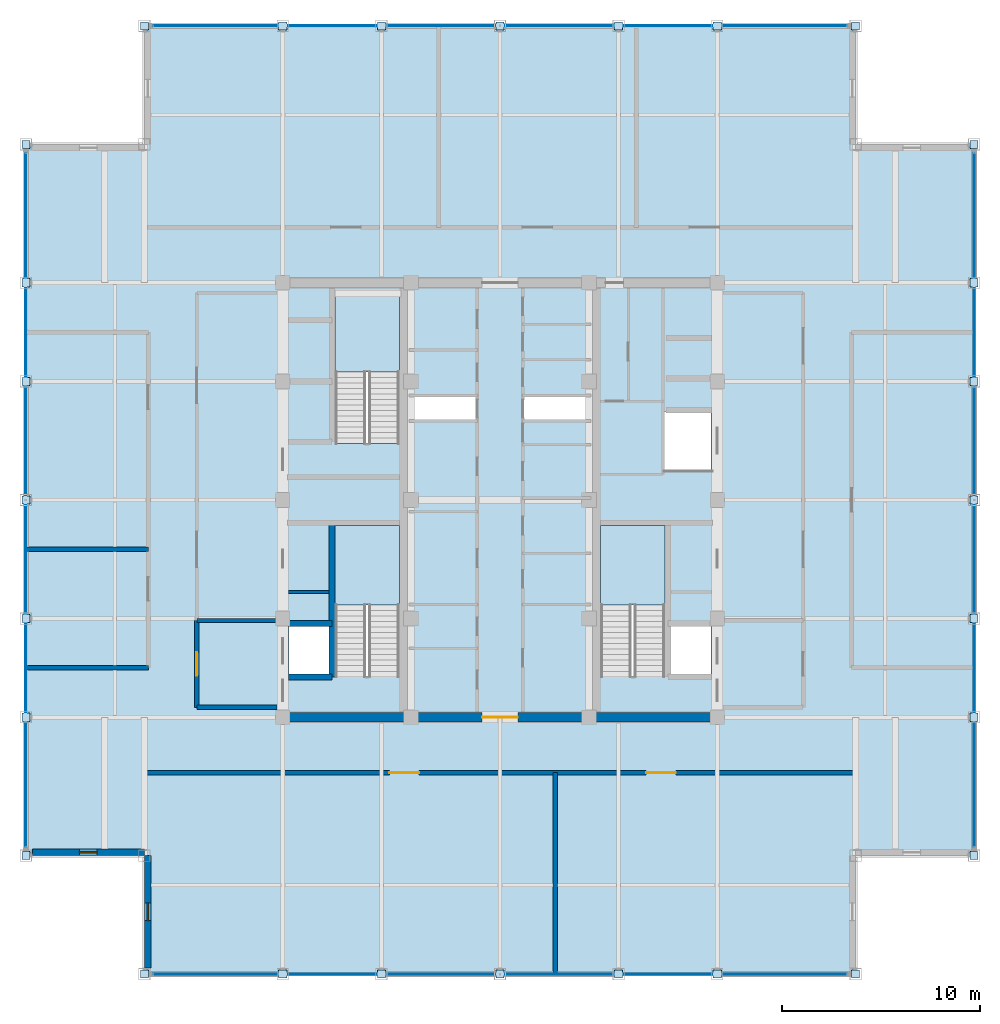
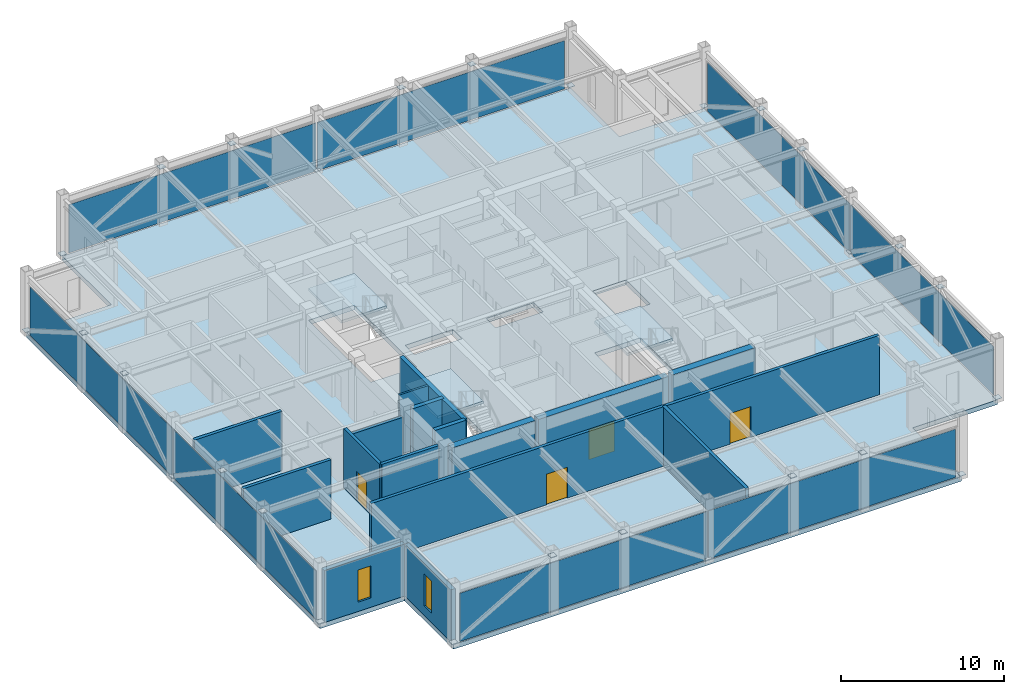
# One storey, part 23 of 27: 36 plates, 16 walls, 4 doors, 4 slabs, 2 windows, 6 openings, 7 elements without a shape of their own.
"""IFC4 building model written with IfcOpenShell, lengths in metres."""

import ifcopenshell
import ifcopenshell.guid

model = None  # the IFC model being written
_history = None  # IfcOwnerHistory: only IFC2X3 demands one
_inside = {}  # id of a spatial element -> (the spatial element, [elements in it])
_under = {}  # id of a project, library or spatial element -> (it, [spatial elements below it])
_declared = {}  # id of a project -> (the project, [libraries it declares])
_typed = {}  # id of a type object -> (the type object, [elements of that type])
_made_of = {}  # id of a material, layer set ... -> (it, [elements and type objects made of it])


def new_model(schema):
    """Start an empty IFC model of exactly this schema.

    Asked for "IFC4X3", IfcOpenShell would pick the latest addendum, in which some entities
    have other attributes; the version numbers below select the first issue.
    IFC2X3 requires an IfcOwnerHistory on every rooted entity: one is made here for all.
    """
    global model, _history
    if schema == "IFC4X3":
        model = ifcopenshell.file(schema_version=(4, 3, 0, 0))
    else:
        model = ifcopenshell.file(schema=schema)
    _inside.clear()
    _under.clear()
    _declared.clear()
    _typed.clear()
    _made_of.clear()
    _history = None
    if model.schema == "IFC2X3":
        org = make("IfcOrganization", Name="unknown")
        user = make(
            "IfcPersonAndOrganization",
            ThePerson=make("IfcPerson", FamilyName="unknown"),
            TheOrganization=org,
        )
        app = make(
            "IfcApplication",
            ApplicationDeveloper=org,
            Version="unknown",
            ApplicationFullName="unknown",
            ApplicationIdentifier="unknown",
        )
        _history = make(
            "IfcOwnerHistory",
            OwningUser=user,
            OwningApplication=app,
            ChangeAction="ADDED",
            CreationDate=0,
        )
    return model


def make(cls, **values):
    """One entity of the class cls with the attributes given. An attribute that is None is left unset."""
    return model.create_entity(
        cls, **{name: value for name, value in values.items() if value is not None}
    )


def rooted(cls, **values):
    """An entity with a GlobalId (a new one), such as an element, a storey or a relation."""
    return make(cls, GlobalId=ifcopenshell.guid.new(), OwnerHistory=_history, **values)


def si_unit(unit_type, name, prefix=None):
    """IfcSIUnit, for example si_unit("LENGTHUNIT", "METRE", prefix="MILLI")."""
    return make("IfcSIUnit", UnitType=unit_type, Prefix=prefix, Name=name)


def assignment(units):
    """IfcUnitAssignment: the units of a project."""
    return None if units is None else make("IfcUnitAssignment", Units=units)


def point(xyz):
    """IfcCartesianPoint."""
    return None if xyz is None else make("IfcCartesianPoint", Coordinates=xyz)


def direction(xyz):
    """IfcDirection."""
    return None if xyz is None else make("IfcDirection", DirectionRatios=xyz)


def frame(location, z_axis=None, x_axis=None):
    """IfcAxis2Placement3D, a coordinate frame: its origin and axes. An axis left out is left unset."""
    return make(
        "IfcAxis2Placement3D",
        Location=point(location),
        Axis=direction(z_axis),
        RefDirection=direction(x_axis),
    )


def frame_2d(location, x_axis=None):
    """IfcAxis2Placement2D, a coordinate frame in the plane: its origin and x axis."""
    return make(
        "IfcAxis2Placement2D", Location=point(location), RefDirection=direction(x_axis)
    )


def origin():
    """The frame at (0, 0, 0) with its axes left unset."""
    return frame((0.0, 0.0, 0.0))


def origin_2d():
    """The frame at (0, 0) in the plane with its x axis left unset."""
    return frame_2d((0.0, 0.0))


def place(relative_to, where):
    """IfcLocalPlacement: puts the frame where relative to a parent placement (None: the world)."""
    return make(
        "IfcLocalPlacement", PlacementRelTo=relative_to, RelativePlacement=where
    )


def context(
    kind, dimensions, precision=None, world=None, true_north=None, identifier=None
):
    """IfcGeometricRepresentationContext, for example the 3D "Model" context."""
    return make(
        "IfcGeometricRepresentationContext",
        ContextIdentifier=identifier,
        ContextType=kind,
        CoordinateSpaceDimension=dimensions,
        Precision=precision,
        WorldCoordinateSystem=world,
        TrueNorth=true_north,
    )


def subcontext(parent, identifier, kind, view, scale=None):
    """IfcGeometricRepresentationSubContext, for example "Body" below "Model"."""
    return make(
        "IfcGeometricRepresentationSubContext",
        ContextIdentifier=identifier,
        ContextType=kind,
        ParentContext=parent,
        TargetScale=scale,
        TargetView=view,
    )


def project(units=None, contexts=None):
    """IfcProject with its units and contexts."""
    return rooted(
        "IfcProject",
        Name="project",
        RepresentationContexts=contexts,
        UnitsInContext=assignment(units),
    )


def spatial(cls, under=None, at=None, **own):
    """A site, building, storey or space (cls), placed at a placement, below another one or the project."""
    s = rooted(cls, ObjectPlacement=at, **own)
    if under is not None:
        _under.setdefault(under.id(), (under, []))[1].append(s)
    return s


def polyline(points):
    """IfcPolyline through the points."""
    return make("IfcPolyline", Points=[point(p) for p in points])


def profile(cls, at=None, kind="AREA", **sizes):
    """A parametric profile (cls). Its sizes go by their IFC names, for example OverallWidth=200.0."""
    return make(cls, ProfileType=kind, Position=at, **sizes)


def rectangle(**sizes):
    """IfcRectangleProfileDef."""
    return profile("IfcRectangleProfileDef", **sizes)


def outline(outer, holes=None, kind="AREA"):
    """IfcArbitraryClosedProfileDef: a profile drawn as a closed curve; with holes, ...WithVoids."""
    if holes is None:
        return make("IfcArbitraryClosedProfileDef", ProfileType=kind, OuterCurve=outer)
    return make(
        "IfcArbitraryProfileDefWithVoids",
        ProfileType=kind,
        OuterCurve=outer,
        InnerCurves=holes,
    )


def extrude(swept, where, along, depth):
    """IfcExtrudedAreaSolid: the profile swept, set in the frame where, extruded along a direction by depth."""
    return make(
        "IfcExtrudedAreaSolid",
        SweptArea=swept,
        Position=where,
        ExtrudedDirection=direction(along),
        Depth=depth,
    )


def shape(context_of_items, identifier, shape_type, items):
    """IfcShapeRepresentation: the items that make up one representation, for example the "Body"."""
    return make(
        "IfcShapeRepresentation",
        ContextOfItems=context_of_items,
        RepresentationIdentifier=identifier,
        RepresentationType=shape_type,
        Items=items,
    )


def source(mapping_origin, context_of_items, identifier, shape_type, items):
    """IfcRepresentationMap: a shape defined once, which mapped items show again and again."""
    return make(
        "IfcRepresentationMap",
        MappingOrigin=mapping_origin,
        MappedRepresentation=shape(context_of_items, identifier, shape_type, items),
    )


def transform(
    local_origin,
    x_axis=None,
    y_axis=None,
    z_axis=None,
    scale=None,
    scale2=None,
    scale3=None,
    uniform=True,
):
    """IfcCartesianTransformationOperator3D, or its non-uniform kind. x_axis, y_axis, z_axis: its Axis1, 2, 3."""
    if uniform:
        return make(
            "IfcCartesianTransformationOperator3D",
            Axis1=direction(x_axis),
            Axis2=direction(y_axis),
            LocalOrigin=point(local_origin),
            Scale=scale,
            Axis3=direction(z_axis),
        )
    return make(
        "IfcCartesianTransformationOperator3DnonUniform",
        Axis1=direction(x_axis),
        Axis2=direction(y_axis),
        LocalOrigin=point(local_origin),
        Scale=scale,
        Axis3=direction(z_axis),
        Scale2=scale2,
        Scale3=scale3,
    )


def mapped(mapping_source, mapping_target):
    """IfcMappedItem: shows the shape of a source again, moved by a transform."""
    return make(
        "IfcMappedItem", MappingSource=mapping_source, MappingTarget=mapping_target
    )


def material(Name=None, Category=None):
    """IfcMaterial."""
    return make("IfcMaterial", Name=Name, Category=Category)


def layer(
    of_material, thickness, ventilated=None, Name=None, Category=None, Priority=None
):
    """IfcMaterialLayer: one layer of a wall or slab, of a material (None: an air gap)."""
    return make(
        "IfcMaterialLayer",
        Material=of_material,
        LayerThickness=thickness,
        IsVentilated=ventilated,
        Name=Name,
        Category=Category,
        Priority=Priority,
    )


def layer_set(layers, Name=None):
    """IfcMaterialLayerSet."""
    return make("IfcMaterialLayerSet", MaterialLayers=layers, LayerSetName=Name)


def made_of(thing, what):
    """Note that an element or type object is made of a material, layer set ...; save() writes the relation."""
    if what is not None:
        _made_of.setdefault(what.id(), (what, []))[1].append(thing)
    return thing


def type_object(cls, material=None, **own):
    """A type object (cls), such as IfcWallType, which elements share."""
    return made_of(rooted(cls, **own), material)


def element(
    cls,
    number,
    at=None,
    inside=None,
    cuts=None,
    type_object=None,
    material=None,
    context=None,
    identifier="Body",
    shape_type=None,
    held_by="IfcProductDefinitionShape",
    body=None,
    shapes=None,
    **own,
):
    """One element of the class cls, such as IfcWall. Its Tag is "e" and its number.

    at: its placement. inside: the storey or other place that contains it. cuts: it is an
    opening in that element (IfcRelVoidsElement). A single representation is given by context,
    identifier, shape_type and body (its items); several are given by shapes. held_by: the class
    of the entity that holds the representations. save() writes the other relations.
    """
    e = rooted(cls, Tag="e%d" % number, ObjectPlacement=at, **own)
    if body is not None:
        shapes = [shape(context, identifier, shape_type, body)]
    if shapes is not None:
        e.Representation = make(held_by, Representations=shapes)
    if inside is not None:
        _inside.setdefault(inside.id(), (inside, []))[1].append(e)
    if cuts is not None:
        rooted(
            "IfcRelVoidsElement", RelatingBuildingElement=cuts, RelatedOpeningElement=e
        )
    if type_object is not None:
        _typed.setdefault(type_object.id(), (type_object, []))[1].append(e)
    return made_of(e, material)


def fill(opening, filler):
    """IfcRelFillsElement: the door or window that sits in an opening."""
    return rooted(
        "IfcRelFillsElement",
        RelatingOpeningElement=opening,
        RelatedBuildingElement=filler,
    )


def aggregate(whole, parts):
    """IfcRelAggregates: a whole, such as a stair, and the parts it consists of."""
    return rooted("IfcRelAggregates", RelatingObject=whole, RelatedObjects=parts)


def save(model, path):
    """Write the relations noted so far, then the file.

    IfcRelAggregates (storeys below a building ...), IfcRelContainedInSpatialStructure (elements
    in a storey), IfcRelDefinesByType, IfcRelAssociatesMaterial and IfcRelDeclares: one each for
    every whole, place, type object, material and project.
    """
    for whole, parts in _under.values():
        aggregate(whole, parts)
    for where, things in _inside.values():
        rooted(
            "IfcRelContainedInSpatialStructure",
            RelatedElements=things,
            RelatingStructure=where,
        )
    for kind, things in _typed.values():
        rooted("IfcRelDefinesByType", RelatedObjects=things, RelatingType=kind)
    for what, things in _made_of.values():
        rooted("IfcRelAssociatesMaterial", RelatedObjects=things, RelatingMaterial=what)
    for by, libraries in _declared.values():
        rooted("IfcRelDeclares", RelatingContext=by, RelatedDefinitions=libraries)
    model.write(path)


model = new_model("IFC4")

# Units and contexts
model_context = context("Model", 3, precision=1e-05, world=origin(), true_north=direction((0.0, 1.0)))
body_context = subcontext(model_context, "Body", "Model", "MODEL_VIEW")
ifc_project = project(units=[si_unit("LENGTHUNIT", "METRE"), si_unit("AREAUNIT", "SQUARE_METRE"), si_unit("VOLUMEUNIT", "CUBIC_METRE"), si_unit("PLANEANGLEUNIT", "RADIAN"), si_unit("MASSUNIT", "GRAM", prefix="KILO")], contexts=[model_context])

# Site, building, storey
site_placement = place(None, origin())
site = spatial("IfcSite", under=ifc_project, at=site_placement, CompositionType="ELEMENT")
building_placement = place(site_placement, origin())
building = spatial("IfcBuilding", under=site, at=building_placement, Name="Khorayat Bourse Tower", CompositionType="ELEMENT")
storey_placement = place(building_placement, frame((0.0, 0.0, 394.699951171875)))
storey = spatial("IfcBuildingStorey", under=building, at=storey_placement, Name="L93", CompositionType="ELEMENT", Elevation=394.699951171875)

# Stair, slab
ifc_material_1 = material(Name="Concrete C40/50", Category="concrete")
stair_type = type_object("IfcStairType", Name="STR-CORE-1550", PredefinedType="HALF_TURN_STAIR", material=ifc_material_1)
stair_1_placement = place(storey_placement, origin())
stair_1 = element("IfcStair", 1, at=stair_1_placement, inside=storey, type_object=stair_type, Name="L93 Exit Stair ST-1", PredefinedType="HALF_TURN_STAIR")
ifc_layer_1 = layer(ifc_material_1, 0.199951171875)
ifc_layer_set_1 = layer_set([ifc_layer_1], Name="Concrete C40/50")
slab_type_1 = type_object("IfcSlabType", Name="SLB-LANDING-200", PredefinedType="LANDING", material=ifc_layer_set_1)
slab_1_placement = place(storey_placement, frame((0.0, 0.0, 2.199951171875)))
slab_1 = element("IfcSlab", 2, at=slab_1_placement, type_object=slab_type_1, Name="ST-1 landing 1", PredefinedType="LANDING", context=body_context, shape_type="SweptSolid", body=[
    extrude(outline(polyline([(-5.10009765625, -5.31005859375), (-5.10009765625, -1.300048828125), (-8.35009765625, -1.300048828125), (-8.35009765625, -5.31005859375), (-5.10009765625, -5.31005859375)])), origin(), (0.0, 0.0, 1.0), 0.2001953125),
])
aggregate(stair_1, [slab_1])

stair_2_placement = place(storey_placement, origin())
stair_2 = element("IfcStair", 3, at=stair_2_placement, inside=storey, type_object=stair_type, Name="L93 Exit Stair ST-2", PredefinedType="HALF_TURN_STAIR")
slab_2_placement = place(storey_placement, frame((0.0, 0.0, 2.199951171875)))
slab_2 = element("IfcSlab", 4, at=slab_2_placement, type_object=slab_type_1, Name="ST-2 landing 1", PredefinedType="LANDING", context=body_context, shape_type="SweptSolid", body=[
    extrude(outline(polyline([(-5.10009765625, 6.489990234375), (-5.10009765625, 10.5), (-8.35009765625, 10.5), (-8.35009765625, 6.489990234375), (-5.10009765625, 6.489990234375)])), origin(), (0.0, 0.0, 1.0), 0.2001953125),
])
aggregate(stair_2, [slab_2])

stair_3_placement = place(storey_placement, origin())
stair_3 = element("IfcStair", 5, at=stair_3_placement, inside=storey, type_object=stair_type, Name="L93 Exit Stair ST-3", PredefinedType="HALF_TURN_STAIR")
slab_3_placement = place(storey_placement, frame((0.0, 0.0, 2.199951171875)))
slab_3 = element("IfcSlab", 6, at=slab_3_placement, type_object=slab_type_1, Name="ST-3 landing 1", PredefinedType="LANDING", context=body_context, shape_type="SweptSolid", body=[
    extrude(outline(polyline([(8.35009765625, -5.31005859375), (8.35009765625, -1.300048828125), (5.10009765625, -1.300048828125), (5.10009765625, -5.31005859375), (8.35009765625, -5.31005859375)])), origin(), (0.0, 0.0, 1.0), 0.2001953125),
])
aggregate(stair_3, [slab_3])

# Slab
ifc_material_2 = material(Name="Concrete C50/60", Category="concrete")
ifc_layer_2 = layer(ifc_material_2, 0.35009765625)
ifc_layer_set_2 = layer_set([ifc_layer_2], Name="Concrete C50/60")
slab_type_2 = type_object("IfcSlabType", Name="SLB-PLANT-350", PredefinedType="FLOOR", material=ifc_layer_set_2)
slab_4_placement = place(storey_placement, frame((0.0, 0.0, -0.349853515625)))
element("IfcSlab", 7, at=slab_4_placement, inside=storey, type_object=slab_type_2, Name="L93 Main Floor Slab", PredefinedType="FLOOR", context=body_context, shape_type="SweptSolid", body=[
    extrude(outline(polyline([(-18.0, -24.0), (18.0, -24.0), (18.0, -18.0), (24.0, -18.0), (24.0, 18.0), (18.0, 18.0), (18.0, 24.0), (-18.0, 24.0), (-18.0, 18.0), (-24.0, 18.0), (-24.0, -18.0), (-18.0, -18.0), (-18.0, -24.0)]), holes=[polyline([(-8.35009765625, -8.945068359375), (-5.10009765625, -8.945068359375), (-5.10009765625, -1.300048828125), (-8.35009765625, -1.300048828125), (-8.35009765625, -8.945068359375)]), polyline([(-8.35009765625, 2.85498046875), (-5.10009765625, 2.85498046875), (-5.10009765625, 10.5), (-8.35009765625, 10.5), (-8.35009765625, 2.85498046875)]), polyline([(5.10009765625, -8.945068359375), (8.35009765625, -8.945068359375), (8.35009765625, -1.300048828125), (5.10009765625, -1.300048828125), (5.10009765625, -8.945068359375)]), polyline([(-10.679931640625, -8.929931640625), (-8.419921875, -8.929931640625), (-8.419921875, -6.3701171875), (-10.679931640625, -6.3701171875), (-10.679931640625, -8.929931640625)]), polyline([(8.419921875, -8.929931640625), (10.679931640625, -8.929931640625), (10.679931640625, -6.3701171875), (8.419921875, -6.3701171875), (8.419921875, -8.929931640625)]), polyline([(8.320068359375, 1.52001953125), (10.679931640625, 1.52001953125), (10.679931640625, 4.47998046875), (8.320068359375, 4.47998046875), (8.320068359375, 1.52001953125)]), polyline([(-4.56005859375, 4.080078125), (-1.18994140625, 4.080078125), (-1.18994140625, 5.219970703125), (-4.56005859375, 5.219970703125), (-4.56005859375, 4.080078125)]), polyline([(1.18994140625, 4.080078125), (4.56005859375, 4.080078125), (4.56005859375, 5.219970703125), (1.18994140625, 5.219970703125), (1.18994140625, 4.080078125)])]), origin(), (0.0, 0.0, 1.0), 0.349853515625),
])

# Plates
ifc_material_3 = material(Name="Steel EN 10025-2 S355J2", Category="steel")
ifc_layer_3 = layer(ifc_material_3, 0.02490234375)
ifc_layer_set_3 = layer_set([ifc_layer_3], Name="Steel EN 10025-2 S355J2")
plate_type_1 = type_object("IfcPlateType", Name="PLT-ENDCAP-25", PredefinedType="SHEET", material=ifc_layer_set_3)
shared_shape_1 = source(origin(), body_context, "Body", "SweptSolid", [
    extrude(rectangle(XDim=0.419921875, YDim=0.419921875, at=origin_2d()), origin(), (0.0, 0.0, 1.0), 0.02490234375),
])
for number, where, z_axis, x_axis, name in (
    (8, (-18.0, -24.0, 0.1875), (0.0, 0.0, 1.0), (1.0, 0.0, 0.0), "L93 Crown Frame Node Plate 001"),
    (9, (-11.0, -24.0, 4.237548828125), (0.0, 0.0, 1.0), (1.0, 0.0, 0.0), "L93 Crown Frame Node Plate 002"),
    (10, (-6.0, -24.0, 4.237548828125), (0.0, 0.0, 1.0), (1.0, 0.0, 0.0), "L93 Crown Frame Node Plate 003"),
    (11, (0.0, -24.0, 0.1875), (0.0, 0.0, 1.0), (1.0, 0.0, 0.0), "L93 Crown Frame Node Plate 004"),
    (12, (6.0, -24.0, 4.237548828125), (0.0, 0.0, 1.0), (1.0, 0.0, 0.0), "L93 Crown Frame Node Plate 005"),
    (13, (11.0, -24.0, 4.237548828125), (0.0, 0.0, 1.0), (1.0, 0.0, 0.0), "L93 Crown Frame Node Plate 006"),
    (14, (18.0, -24.0, 0.1875), (0.0, 0.0, 1.0), (1.0, 0.0, 0.0), "L93 Crown Frame Node Plate 007"),
    (15, (-18.0, 24.0, 0.1875), (0.0, 0.0, 1.0), (1.0, 0.0, 0.0), "L93 Crown Frame Node Plate 008"),
    (16, (-11.0, 24.0, 4.237548828125), (0.0, 0.0, 1.0), (1.0, 0.0, 0.0), "L93 Crown Frame Node Plate 009"),
    (17, (-6.0, 24.0, 4.237548828125), (0.0, 0.0, 1.0), (1.0, 0.0, 0.0), "L93 Crown Frame Node Plate 010"),
    (18, (0.0, 24.0, 0.1875), (0.0, 0.0, 1.0), (1.0, 0.0, 0.0), "L93 Crown Frame Node Plate 011"),
    (19, (6.0, 24.0, 4.237548828125), (0.0, 0.0, 1.0), (1.0, 0.0, 0.0), "L93 Crown Frame Node Plate 012"),
    (20, (11.0, 24.0, 4.237548828125), (0.0, 0.0, 1.0), (1.0, 0.0, 0.0), "L93 Crown Frame Node Plate 013"),
    (21, (18.0, 24.0, 0.1875), (0.0, 0.0, 1.0), (1.0, 0.0, 0.0), "L93 Crown Frame Node Plate 014"),
    (22, (-24.0, -18.0, 0.1875), (0.0, 0.0, 1.0), (1.0, 0.0, 0.0), "L93 Crown Frame Node Plate 015"),
    (23, (-24.0, -11.0, 4.237548828125), (0.0, 0.0, 1.0), (1.0, 0.0, 0.0), "L93 Crown Frame Node Plate 016"),
    (24, (-24.0, -6.0, 4.237548828125), (0.0, 0.0, 1.0), (1.0, 0.0, 0.0), "L93 Crown Frame Node Plate 017"),
    (25, (-24.0, 0.0, 0.1875), (0.0, 0.0, 1.0), (1.0, 0.0, 0.0), "L93 Crown Frame Node Plate 018"),
    (26, (-24.0, 6.0, 4.237548828125), (0.0, 0.0, 1.0), (1.0, 0.0, 0.0), "L93 Crown Frame Node Plate 019"),
    (27, (-24.0, 11.0, 4.237548828125), (0.0, 0.0, 1.0), (1.0, 0.0, 0.0), "L93 Crown Frame Node Plate 020"),
    (28, (-24.0, 18.0, 0.1875), (0.0, 0.0, 1.0), (1.0, 0.0, 0.0), "L93 Crown Frame Node Plate 021"),
    (29, (24.0, -18.0, 0.1875), (0.0, 0.0, 1.0), (1.0, 0.0, 0.0), "L93 Crown Frame Node Plate 022"),
    (30, (24.0, -11.0, 4.237548828125), (0.0, 0.0, 1.0), (1.0, 0.0, 0.0), "L93 Crown Frame Node Plate 023"),
    (31, (24.0, -6.0, 4.237548828125), (0.0, 0.0, 1.0), (1.0, 0.0, 0.0), "L93 Crown Frame Node Plate 024"),
    (32, (24.0, 0.0, 0.1875), (0.0, 0.0, 1.0), (1.0, 0.0, 0.0), "L93 Crown Frame Node Plate 025"),
    (33, (24.0, 6.0, 4.237548828125), (0.0, 0.0, 1.0), (1.0, 0.0, 0.0), "L93 Crown Frame Node Plate 026"),
    (34, (24.0, 11.0, 4.237548828125), (0.0, 0.0, 1.0), (1.0, 0.0, 0.0), "L93 Crown Frame Node Plate 027"),
    (35, (24.0, 18.0, 0.1875), (0.0, 0.0, 1.0), (1.0, 0.0, 0.0), "L93 Crown Frame Node Plate 028"),
):
    element("IfcPlate", number, at=place(storey_placement, frame(where, z_axis=z_axis, x_axis=x_axis)), inside=storey, type_object=plate_type_1, Name=name, PredefinedType="SHEET", context=body_context, shape_type="MappedRepresentation", body=[
        mapped(shared_shape_1, transform((0.0, 0.0, 0.0), scale=1.0)),
    ])

# Curtain wall, plates
ifc_material_4 = material(Name="Aluminium EN AW-6063 T6", Category="aluminium")
curtain_wall_type = type_object("IfcCurtainWallType", Name="CW-SYS-07", PredefinedType="NOTDEFINED", material=ifc_material_4)
curtain_wall_1_placement = place(storey_placement, origin())
curtain_wall_1 = element("IfcCurtainWall", 36, at=curtain_wall_1_placement, inside=storey, type_object=curtain_wall_type, Name="L93 Curtain Wall CW-L93-S1", PredefinedType="NOTDEFINED")
ifc_material_5 = material(Name="Backlit ceramic-fritted lantern glass", Category="glass")
ifc_layer_4 = layer(ifc_material_5, 0.048095703125)
ifc_layer_set_4 = layer_set([ifc_layer_4], Name="Backlit ceramic-fritted lantern glass")
plate_type_2 = type_object("IfcPlateType", Name="CWP-LANTERN-04", PredefinedType="CURTAIN_PANEL", material=ifc_layer_set_4)
shared_shape_2 = source(origin(), body_context, "Body", "SweptSolid", [
    extrude(rectangle(XDim=17.5, YDim=0.048095703125, at=origin_2d()), origin(), (0.0, 0.0, 1.0), 3.6201171875),
])
plate_1_placement = place(storey_placement, frame((-8.800048828125, -24.0, 0.090087890625), z_axis=(0.0, 0.0, 1.0), x_axis=(1.0, 0.0, 0.0)))
plate_1 = element("IfcPlate", 37, at=plate_1_placement, type_object=plate_type_2, Name="CW-L93-S1 Vision Panel 1-1", PredefinedType="CURTAIN_PANEL", context=body_context, shape_type="MappedRepresentation", body=[
    mapped(shared_shape_2, transform((0.0, 0.0, 0.0), scale=1.0)),
])
plate_2_placement = place(storey_placement, frame((8.800048828125, -24.0, 0.090087890625), z_axis=(0.0, 0.0, 1.0), x_axis=(1.0, 0.0, 0.0)))
plate_2 = element("IfcPlate", 38, at=plate_2_placement, type_object=plate_type_2, Name="CW-L93-S1 Vision Panel 2-1", PredefinedType="CURTAIN_PANEL", context=body_context, shape_type="MappedRepresentation", body=[
    mapped(shared_shape_2, transform((0.0, 0.0, 0.0), scale=1.0)),
])
aggregate(curtain_wall_1, [plate_1, plate_2])

curtain_wall_2_placement = place(storey_placement, origin())
curtain_wall_2 = element("IfcCurtainWall", 39, at=curtain_wall_2_placement, inside=storey, type_object=curtain_wall_type, Name="L93 Curtain Wall CW-L93-N1", PredefinedType="NOTDEFINED")
plate_3_placement = place(storey_placement, frame((-8.800048828125, 24.0, 0.090087890625), z_axis=(0.0, 0.0, 1.0), x_axis=(1.0, 0.0, 0.0)))
plate_3 = element("IfcPlate", 40, at=plate_3_placement, type_object=plate_type_2, Name="CW-L93-N1 Vision Panel 1-1", PredefinedType="CURTAIN_PANEL", context=body_context, shape_type="MappedRepresentation", body=[
    mapped(shared_shape_2, transform((0.0, 0.0, 0.0), scale=1.0)),
])
plate_4_placement = place(storey_placement, frame((8.800048828125, 24.0, 0.090087890625), z_axis=(0.0, 0.0, 1.0), x_axis=(1.0, 0.0, 0.0)))
plate_4 = element("IfcPlate", 41, at=plate_4_placement, type_object=plate_type_2, Name="CW-L93-N1 Vision Panel 2-1", PredefinedType="CURTAIN_PANEL", context=body_context, shape_type="MappedRepresentation", body=[
    mapped(shared_shape_2, transform((0.0, 0.0, 0.0), scale=1.0)),
])
aggregate(curtain_wall_2, [plate_3, plate_4])

curtain_wall_3_placement = place(storey_placement, origin())
curtain_wall_3 = element("IfcCurtainWall", 42, at=curtain_wall_3_placement, inside=storey, type_object=curtain_wall_type, Name="L93 Curtain Wall CW-L93-W1", PredefinedType="NOTDEFINED")
plate_5_placement = place(storey_placement, frame((-24.0, -8.800048828125, 0.090087890625), z_axis=(0.0, 0.0, 1.0), x_axis=(0.0, 1.0, 0.0)))
plate_5 = element("IfcPlate", 43, at=plate_5_placement, type_object=plate_type_2, Name="CW-L93-W1 Vision Panel 1-1", PredefinedType="CURTAIN_PANEL", context=body_context, shape_type="MappedRepresentation", body=[
    mapped(shared_shape_2, transform((0.0, 0.0, 0.0), scale=1.0)),
])
plate_6_placement = place(storey_placement, frame((-24.0, 8.800048828125, 0.090087890625), z_axis=(0.0, 0.0, 1.0), x_axis=(0.0, 1.0, 0.0)))
plate_6 = element("IfcPlate", 44, at=plate_6_placement, type_object=plate_type_2, Name="CW-L93-W1 Vision Panel 2-1", PredefinedType="CURTAIN_PANEL", context=body_context, shape_type="MappedRepresentation", body=[
    mapped(shared_shape_2, transform((0.0, 0.0, 0.0), scale=1.0)),
])
aggregate(curtain_wall_3, [plate_5, plate_6])

curtain_wall_4_placement = place(storey_placement, origin())
curtain_wall_4 = element("IfcCurtainWall", 45, at=curtain_wall_4_placement, inside=storey, type_object=curtain_wall_type, Name="L93 Curtain Wall CW-L93-E1", PredefinedType="NOTDEFINED")
plate_7_placement = place(storey_placement, frame((24.0, -8.800048828125, 0.090087890625), z_axis=(0.0, 0.0, 1.0), x_axis=(0.0, 1.0, 0.0)))
plate_7 = element("IfcPlate", 46, at=plate_7_placement, type_object=plate_type_2, Name="CW-L93-E1 Vision Panel 1-1", PredefinedType="CURTAIN_PANEL", context=body_context, shape_type="MappedRepresentation", body=[
    mapped(shared_shape_2, transform((0.0, 0.0, 0.0), scale=1.0)),
])
plate_8_placement = place(storey_placement, frame((24.0, 8.800048828125, 0.090087890625), z_axis=(0.0, 0.0, 1.0), x_axis=(0.0, 1.0, 0.0)))
plate_8 = element("IfcPlate", 47, at=plate_8_placement, type_object=plate_type_2, Name="CW-L93-E1 Vision Panel 2-1", PredefinedType="CURTAIN_PANEL", context=body_context, shape_type="MappedRepresentation", body=[
    mapped(shared_shape_2, transform((0.0, 0.0, 0.0), scale=1.0)),
])
aggregate(curtain_wall_4, [plate_7, plate_8])

# Walls
ifc_material_6 = material(Name="Concrete C52/65", Category="concrete")
ifc_layer_5 = layer(ifc_material_6, 0.5)
ifc_layer_set_5 = layer_set([ifc_layer_5], Name="Concrete C52/65")
wall_type_1 = type_object("IfcWallType", Name="WAL-CORE-500", PredefinedType="SHEAR", material=ifc_layer_set_5)
shared_shape_3 = source(origin(), body_context, "Body", "SweptSolid", [
    extrude(rectangle(XDim=5.89990234375, YDim=0.5, at=frame_2d((2.949951171875, 0.0))), origin(), (0.0, 0.0, 1.0), 4.449951171875),
])
for number, where, z_axis, x_axis, name in (
    (48, (-10.75, -11.0, 0.0), (0.0, 0.0, 1.0), (1.0, 0.0, 0.0), "L93 Core Shear Wall PIER-WS"),
    (49, (4.85009765625, -11.0, 0.0), (0.0, 0.0, 1.0), (1.0, 0.0, 0.0), "L93 Core Shear Wall PIER-ES"),
):
    element("IfcWall", number, at=place(storey_placement, frame(where, z_axis=z_axis, x_axis=x_axis)), inside=storey, type_object=wall_type_1, Name=name, PredefinedType="SHEAR", context=body_context, shape_type="MappedRepresentation", body=[
        mapped(shared_shape_3, transform((0.0, 0.0, 0.0), scale=1.0)),
    ])

# Wall, opening, door
shared_shape_4 = source(origin(), body_context, "Body", "SweptSolid", [
    extrude(rectangle(XDim=9.2001953125, YDim=0.5, at=frame_2d((4.60009765625, 0.0))), origin(), (0.0, 0.0, 1.0), 4.449951171875),
])
wall_1_placement = place(storey_placement, frame((-4.60009765625, -11.0, 0.0), z_axis=(0.0, 0.0, 1.0), x_axis=(1.0, 0.0, 0.0)))
wall_1 = element("IfcWall", 50, at=wall_1_placement, inside=storey, type_object=wall_type_1, Name="L93 Core Shear Wall CORE-S", PredefinedType="SHEAR", context=body_context, shape_type="MappedRepresentation", body=[
    mapped(shared_shape_4, transform((0.0, 0.0, 0.0), scale=1.0)),
])
shared_shape_5 = source(origin(), body_context, "Body", "SweptSolid", [
    extrude(rectangle(XDim=1.800048828125, YDim=2.25, at=frame_2d((0.89990234375, 1.125))), frame((0.0, 0.260009765625, 0.0), z_axis=(0.0, -1.0, 0.0), x_axis=(1.0, 0.0, 0.0)), (0.0, 0.0, 1.0), 0.52001953125),
])
opening_1_placement = place(wall_1_placement, frame((3.699951171875, 0.0, 0.0)))
opening_1 = element("IfcOpeningElement", 51, at=opening_1_placement, cuts=wall_1, Name="Opening DI-03", PredefinedType="OPENING", context=body_context, shape_type="MappedRepresentation", body=[
    mapped(shared_shape_5, transform((0.0, 0.0, 0.0), scale=1.0)),
])
ifc_material_7 = material(Name="Fire-rated hardwood vision-panel double leaf", Category="wood")
door_type_1 = type_object("IfcDoorType", Name="DR-INT-CORR-1800", OperationType="NOTDEFINED", PredefinedType="DOOR", material=ifc_material_7)
shared_shape_6 = source(origin(), body_context, "Body", "SweptSolid", [
    extrude(rectangle(XDim=1.800048828125, YDim=2.25, at=frame_2d((0.89990234375, 1.125))), frame((0.0, 0.02490234375, 0.0), z_axis=(0.0, -1.0, 0.0), x_axis=(1.0, 0.0, 0.0)), (0.0, 0.0, 1.0), 0.050048828125),
])
door_1_placement = place(opening_1_placement, origin())
door_1 = element("IfcDoor", 52, at=door_1_placement, inside=storey, type_object=door_type_1, Name="L93 Central Core South Passage Door", OperationType="SINGLE_SWING_LEFT", OverallHeight=2.25, OverallWidth=1.800048828125, PredefinedType="DOOR", context=body_context, shape_type="MappedRepresentation", body=[
    mapped(shared_shape_6, transform((0.0, 0.0, 0.0), scale=1.0)),
])
fill(opening_1, door_1)

# Wall, opening, window
ifc_material_8 = material(Name="Precast concrete C45/55", Category="concrete")
ifc_layer_6 = layer(ifc_material_8, 0.320068359375)
ifc_layer_set_6 = layer_set([ifc_layer_6], Name="Precast concrete C45/55")
wall_type_2 = type_object("IfcWallType", Name="WAL-EXT-STONE-320", PredefinedType="STANDARD", material=ifc_layer_set_6)
shared_shape_7 = source(origin(), body_context, "Body", "SweptSolid", [
    extrude(rectangle(XDim=5.679931640625, YDim=0.320068359375, at=frame_2d((2.83984375, 0.0))), origin(), (0.0, 0.0, 1.0), 3.901123046875),
])
wall_2_placement = place(storey_placement, frame((-18.0, -17.840087890625, 0.0), z_axis=(0.0, 0.0, 1.0), x_axis=(-1.0, 0.0, 0.0)))
wall_2 = element("IfcWall", 53, at=wall_2_placement, inside=storey, type_object=wall_type_2, Name="L93 Re-Entrant Notch Limestone Wall SW-H", PredefinedType="STANDARD", context=body_context, shape_type="MappedRepresentation", body=[
    mapped(shared_shape_7, transform((0.0, 0.0, 0.0), scale=1.0)),
])
shared_shape_8 = source(origin(), body_context, "Body", "SweptSolid", [
    extrude(rectangle(XDim=0.89990234375, YDim=2.39990234375, at=frame_2d((0.449951171875, 1.199951171875))), frame((0.0, 0.169921875, 0.0), z_axis=(0.0, -1.0, 0.0), x_axis=(1.0, 0.0, 0.0)), (0.0, 0.0, 1.0), 0.340087890625),
])
opening_2_placement = place(wall_2_placement, frame((2.389892578125, 0.0, 0.699951171875)))
opening_2 = element("IfcOpeningElement", 54, at=opening_2_placement, cuts=wall_2, Name="Opening WN-03", PredefinedType="OPENING", context=body_context, shape_type="MappedRepresentation", body=[
    mapped(shared_shape_8, transform((0.0, 0.0, 0.0), scale=1.0)),
])
ifc_material_9 = material(Name="Deep-reveal solar-control double glazing", Category="glass")
window_type = type_object("IfcWindowType", Name="WIN-SLOT-900x2400", PartitioningType="SINGLE_PANEL", PredefinedType="WINDOW", material=ifc_material_9)
shared_shape_9 = source(origin(), body_context, "Body", "SweptSolid", [
    extrude(rectangle(XDim=0.89990234375, YDim=2.39990234375, at=frame_2d((0.449951171875, 1.199951171875))), frame((0.0, 0.030029296875, 0.0), z_axis=(0.0, -1.0, 0.0), x_axis=(1.0, 0.0, 0.0)), (0.0, 0.0, 1.0), 0.06005859375),
])
window_1_placement = place(opening_2_placement, origin())
window_1 = element("IfcWindow", 55, at=window_1_placement, inside=storey, type_object=window_type, Name="L93 Facade Window 1", OverallHeight=2.39990234375, OverallWidth=0.89990234375, PartitioningType="SINGLE_PANEL", PredefinedType="WINDOW", context=body_context, shape_type="MappedRepresentation", body=[
    mapped(shared_shape_9, transform((0.0, 0.0, 0.0), scale=1.0)),
])
fill(opening_2, window_1)

wall_3_placement = place(storey_placement, frame((-17.840087890625, -23.679931640625, 0.0), z_axis=(0.0, 0.0, 1.0), x_axis=(0.0, 1.0, 0.0)))
wall_3 = element("IfcWall", 56, at=wall_3_placement, inside=storey, type_object=wall_type_2, Name="L93 Re-Entrant Notch Limestone Wall SW-V", PredefinedType="STANDARD", context=body_context, shape_type="MappedRepresentation", body=[
    mapped(shared_shape_7, transform((0.0, 0.0, 0.0), scale=1.0)),
])
opening_3_placement = place(wall_3_placement, frame((2.389892578125, 0.0, 0.699951171875)))
opening_3 = element("IfcOpeningElement", 57, at=opening_3_placement, cuts=wall_3, Name="Opening WN-03", PredefinedType="OPENING", context=body_context, shape_type="MappedRepresentation", body=[
    mapped(shared_shape_8, transform((0.0, 0.0, 0.0), scale=1.0)),
])
window_2_placement = place(opening_3_placement, origin())
window_2 = element("IfcWindow", 58, at=window_2_placement, inside=storey, type_object=window_type, Name="L93 Facade Window 1", OverallHeight=2.39990234375, OverallWidth=0.89990234375, PartitioningType="SINGLE_PANEL", PredefinedType="WINDOW", context=body_context, shape_type="MappedRepresentation", body=[
    mapped(shared_shape_9, transform((0.0, 0.0, 0.0), scale=1.0)),
])
fill(opening_3, window_2)

# Walls
ifc_layer_7 = layer(ifc_material_2, 0.300048828125)
ifc_layer_set_7 = layer_set([ifc_layer_7], Name="Concrete C50/60")
wall_type_3 = type_object("IfcWallType", Name="WAL-SHAFT-300", PredefinedType="SHEAR", material=ifc_layer_set_7)
shared_shape_10 = source(origin(), body_context, "Body", "SweptSolid", [
    extrude(rectangle(XDim=7.800048828125, YDim=0.300048828125, at=frame_2d((3.89990234375, 0.0))), origin(), (0.0, 0.0, 1.0), 4.449951171875),
])
wall_4_placement = place(storey_placement, frame((-8.5, -8.949951171875, 0.0), z_axis=(0.0, 0.0, 1.0), x_axis=(0.0, 1.0, 0.0)))
element("IfcWall", 59, at=wall_4_placement, inside=storey, type_object=wall_type_3, Name="L93 Partition WAL-L93-WPIER-SP", PredefinedType="SHEAR", context=body_context, shape_type="MappedRepresentation", body=[
    mapped(shared_shape_10, transform((0.0, 0.0, 0.0), scale=1.0)),
])
shared_shape_11 = source(origin(), body_context, "Body", "SweptSolid", [
    extrude(rectangle(XDim=2.199951171875, YDim=0.300048828125, at=frame_2d((1.10009765625, 0.0))), origin(), (0.0, 0.0, 1.0), 4.449951171875),
])
for number, where, z_axis, x_axis, name in (
    (60, (-10.699951171875, -8.949951171875, 0.0), (0.0, 0.0, 1.0), (1.0, 0.0, 0.0), "L93 Partition WAL-L93-WPIER-FF1S"),
    (61, (-10.699951171875, -6.25, 0.0), (0.0, 0.0, 1.0), (1.0, 0.0, 0.0), "L93 Partition WAL-L93-WPIER-FF1N"),
):
    element("IfcWall", number, at=place(storey_placement, frame(where, z_axis=z_axis, x_axis=x_axis)), inside=storey, type_object=wall_type_3, Name=name, PredefinedType="SHEAR", context=body_context, shape_type="MappedRepresentation", body=[
        mapped(shared_shape_11, transform((0.0, 0.0, 0.0), scale=1.0)),
    ])
ifc_material_10 = material(Name="Gypsum plasterboard twin-frame partition")
ifc_layer_8 = layer(ifc_material_10, 0.14990234375)
ifc_layer_set_8 = layer_set([ifc_layer_8], Name="Gypsum plasterboard twin-frame partition")
wall_type_4 = type_object("IfcWallType", Name="WAL-PART-SUITE-150", PredefinedType="PARTITIONING", material=ifc_layer_set_8)
shared_shape_12 = source(origin(), body_context, "Body", "SweptSolid", [
    extrude(rectangle(XDim=2.050048828125, YDim=0.14990234375, at=frame_2d((1.02490234375, 0.0))), origin(), (0.0, 0.0, 1.0), 4.449951171875),
])
wall_5_placement = place(storey_placement, frame((-10.699951171875, -4.64990234375, 0.0), z_axis=(0.0, 0.0, 1.0), x_axis=(1.0, 0.0, 0.0)))
element("IfcWall", 62, at=wall_5_placement, inside=storey, type_object=wall_type_4, Name="L93 Partition WAL-L93-WSRV-S0", PredefinedType="PARTITIONING", context=body_context, shape_type="MappedRepresentation", body=[
    mapped(shared_shape_12, transform((0.0, 0.0, 0.0), scale=1.0)),
])
ifc_material_11 = material(Name="Aerated concrete blockwork", Category="masonry")
ifc_layer_9 = layer(ifc_material_11, 0.219970703125)
ifc_layer_set_9 = layer_set([ifc_layer_9], Name="Aerated concrete blockwork")
wall_type_5 = type_object("IfcWallType", Name="WAL-PART-FF-220", PredefinedType="PARTITIONING", material=ifc_layer_set_9)
shared_shape_13 = source(origin(), body_context, "Body", "SweptSolid", [
    extrude(rectangle(XDim=4.050048828125, YDim=0.219970703125, at=frame_2d((2.02490234375, 0.0))), origin(), (0.0, 0.0, 1.0), 4.449951171875),
])
wall_6_placement = place(storey_placement, frame((-15.35009765625, -10.5, 0.0), z_axis=(0.0, 0.0, 1.0), x_axis=(1.0, 0.0, 0.0)))
element("IfcWall", 63, at=wall_6_placement, inside=storey, type_object=wall_type_5, Name="L93 Partition WAL-L93-FFLW-S", PredefinedType="PARTITIONING", context=body_context, shape_type="MappedRepresentation", body=[
    mapped(shared_shape_13, transform((0.0, 0.0, 0.0), scale=1.0)),
])

# Wall, opening, door
shared_shape_14 = source(origin(), body_context, "Body", "SweptSolid", [
    extrude(rectangle(XDim=4.39990234375, YDim=0.219970703125, at=frame_2d((2.199951171875, 0.0))), origin(), (0.0, 0.0, 1.0), 4.449951171875),
])
wall_7_placement = place(storey_placement, frame((-15.35009765625, -10.5, 0.0), z_axis=(0.0, 0.0, 1.0), x_axis=(0.0, 1.0, 0.0)))
wall_7 = element("IfcWall", 64, at=wall_7_placement, inside=storey, type_object=wall_type_5, Name="L93 Partition WAL-L93-FFLW-W", PredefinedType="PARTITIONING", context=body_context, shape_type="MappedRepresentation", body=[
    mapped(shared_shape_14, transform((0.0, 0.0, 0.0), scale=1.0)),
])
shared_shape_15 = source(origin(), body_context, "Body", "SweptSolid", [
    extrude(rectangle(XDim=1.199951171875, YDim=2.199951171875, at=frame_2d((0.60009765625, 1.10009765625))), frame((0.0, 0.119873046875, 0.0), z_axis=(0.0, -1.0, 0.0), x_axis=(1.0, 0.0, 0.0)), (0.0, 0.0, 1.0), 0.239990234375),
])
opening_4_placement = place(wall_7_placement, frame((1.60009765625, 0.0, 0.0)))
opening_4 = element("IfcOpeningElement", 65, at=opening_4_placement, cuts=wall_7, Name="Opening DI-02", PredefinedType="OPENING", context=body_context, shape_type="MappedRepresentation", body=[
    mapped(shared_shape_15, transform((0.0, 0.0, 0.0), scale=1.0)),
])
ifc_material_12 = material(Name="Fire-rated steel double-seal leaf", Category="steel")
door_type_2 = type_object("IfcDoorType", Name="DR-INT-FFLOBBY-1200", OperationType="NOTDEFINED", PredefinedType="DOOR", material=ifc_material_12)
shared_shape_16 = source(origin(), body_context, "Body", "SweptSolid", [
    extrude(rectangle(XDim=1.199951171875, YDim=2.199951171875, at=frame_2d((0.60009765625, 1.10009765625))), frame((0.0, 0.02490234375, 0.0), z_axis=(0.0, -1.0, 0.0), x_axis=(1.0, 0.0, 0.0)), (0.0, 0.0, 1.0), 0.050048828125),
])
door_2_placement = place(opening_4_placement, origin())
door_2 = element("IfcDoor", 66, at=door_2_placement, inside=storey, type_object=door_type_2, Name="L93 West Firefighting Lobby Door", OperationType="SINGLE_SWING_LEFT", OverallHeight=2.199951171875, OverallWidth=1.199951171875, PredefinedType="DOOR", context=body_context, shape_type="MappedRepresentation", body=[
    mapped(shared_shape_16, transform((0.0, 0.0, 0.0), scale=1.0)),
])
fill(opening_4, door_2)

# Walls
shared_shape_17 = source(origin(), body_context, "Body", "SweptSolid", [
    extrude(rectangle(XDim=10.199951171875, YDim=0.219970703125, at=frame_2d((5.10009765625, 0.0))), origin(), (0.0, 0.0, 1.0), 4.449951171875),
])
wall_8_placement = place(storey_placement, frame((2.800048828125, -24.0, 0.0), z_axis=(0.0, 0.0, 1.0), x_axis=(0.0, 1.0, 0.0)))
element("IfcWall", 67, at=wall_8_placement, inside=storey, type_object=wall_type_5, Name="L93 Partition WAL-L93-PLS-DIV", PredefinedType="PARTITIONING", context=body_context, shape_type="MappedRepresentation", body=[
    mapped(shared_shape_17, transform((0.0, 0.0, 0.0), scale=1.0)),
])
shared_shape_18 = source(origin(), body_context, "Body", "SweptSolid", [
    extrude(rectangle(XDim=6.199951171875, YDim=0.219970703125, at=frame_2d((3.10009765625, 0.0))), origin(), (0.0, 0.0, 1.0), 4.449951171875),
])
for number, where, z_axis, x_axis, name in (
    (68, (-24.0, -2.5, 0.0), (0.0, 0.0, 1.0), (1.0, 0.0, 0.0), "L93 Partition WAL-L93-CRNW-D"),
    (69, (-24.0, -8.5, 0.0), (0.0, 0.0, 1.0), (1.0, 0.0, 0.0), "L93 Partition WAL-L93-PLW-S"),
):
    element("IfcWall", number, at=place(storey_placement, frame(where, z_axis=z_axis, x_axis=x_axis)), inside=storey, type_object=wall_type_5, Name=name, PredefinedType="PARTITIONING", context=body_context, shape_type="MappedRepresentation", body=[
        mapped(shared_shape_18, transform((0.0, 0.0, 0.0), scale=1.0)),
    ])

# Wall, openings, doors
shared_shape_19 = source(origin(), body_context, "Body", "SweptSolid", [
    extrude(rectangle(XDim=36.0, YDim=0.219970703125, at=frame_2d((18.0, 0.0))), origin(), (0.0, 0.0, 1.0), 4.449951171875),
])
wall_9_placement = place(storey_placement, frame((-18.0, -13.800048828125, 0.0), z_axis=(0.0, 0.0, 1.0), x_axis=(1.0, 0.0, 0.0)))
wall_9 = element("IfcWall", 70, at=wall_9_placement, inside=storey, type_object=wall_type_5, Name="L93 Partition WAL-L93-PLS-N", PredefinedType="PARTITIONING", context=body_context, shape_type="MappedRepresentation", body=[
    mapped(shared_shape_19, transform((0.0, 0.0, 0.0), scale=1.0)),
])
shared_shape_20 = source(origin(), body_context, "Body", "SweptSolid", [
    extrude(rectangle(XDim=1.5, YDim=2.300048828125, at=frame_2d((0.75, 1.14990234375))), frame((0.0, 0.119873046875, 0.0), z_axis=(0.0, -1.0, 0.0), x_axis=(1.0, 0.0, 0.0)), (0.0, 0.0, 1.0), 0.239990234375),
])
opening_5_placement = place(wall_9_placement, frame((12.39990234375, 0.0, 0.0)))
opening_5 = element("IfcOpeningElement", 71, at=opening_5_placement, cuts=wall_9, Name="Opening DI-07", PredefinedType="OPENING", context=body_context, shape_type="MappedRepresentation", body=[
    mapped(shared_shape_20, transform((0.0, 0.0, 0.0), scale=1.0)),
])
opening_6_placement = place(wall_9_placement, frame((25.39990234375, 0.0, 0.0)))
opening_6 = element("IfcOpeningElement", 72, at=opening_6_placement, cuts=wall_9, Name="Opening DI-07", PredefinedType="OPENING", context=body_context, shape_type="MappedRepresentation", body=[
    mapped(shared_shape_20, transform((0.0, 0.0, 0.0), scale=1.0)),
])
ifc_material_13 = material(Name="Louvred fire-rated steel plant double door", Category="steel")
door_type_3 = type_object("IfcDoorType", Name="DR-INT-PLANT-1500", OperationType="NOTDEFINED", PredefinedType="DOOR", material=ifc_material_13)
shared_shape_21 = source(origin(), body_context, "Body", "SweptSolid", [
    extrude(rectangle(XDim=1.5, YDim=2.300048828125, at=frame_2d((0.75, 1.14990234375))), frame((0.0, 0.02490234375, 0.0), z_axis=(0.0, -1.0, 0.0), x_axis=(1.0, 0.0, 0.0)), (0.0, 0.0, 1.0), 0.050048828125),
])
door_3_placement = place(opening_5_placement, origin())
door_3 = element("IfcDoor", 73, at=door_3_placement, inside=storey, type_object=door_type_3, Name="L93 Chiller Plant Door", OperationType="SINGLE_SWING_LEFT", OverallHeight=2.300048828125, OverallWidth=1.5, PredefinedType="DOOR", context=body_context, shape_type="MappedRepresentation", body=[
    mapped(shared_shape_21, transform((0.0, 0.0, 0.0), scale=1.0)),
])
fill(opening_5, door_3)
door_4_placement = place(opening_6_placement, origin())
door_4 = element("IfcDoor", 74, at=door_4_placement, inside=storey, type_object=door_type_3, Name="L93 Pump Plant Door", OperationType="SINGLE_SWING_RIGHT", OverallHeight=2.300048828125, OverallWidth=1.5, PredefinedType="DOOR", context=body_context, shape_type="MappedRepresentation", body=[
    mapped(shared_shape_21, transform((0.0, 0.0, 0.0), scale=1.0)),
])
fill(opening_6, door_4)

# Wall
shared_shape_22 = source(origin(), body_context, "Body", "SweptSolid", [
    extrude(rectangle(XDim=4.050048828125, YDim=0.219970703125, at=frame_2d((2.02490234375, 0.0))), origin(), (0.0, 0.0, 1.0), 3.901123046875),
])
wall_10_placement = place(storey_placement, frame((-15.35009765625, -6.10009765625, 0.0), z_axis=(0.0, 0.0, 1.0), x_axis=(1.0, 0.0, 0.0)))
element("IfcWall", 75, at=wall_10_placement, inside=storey, type_object=wall_type_5, Name="L93 Partition WAL-L93-FFLW-N", PredefinedType="PARTITIONING", context=body_context, shape_type="MappedRepresentation", body=[
    mapped(shared_shape_22, transform((0.0, 0.0, 0.0), scale=1.0)),
])

save(model, "model.ifc")
